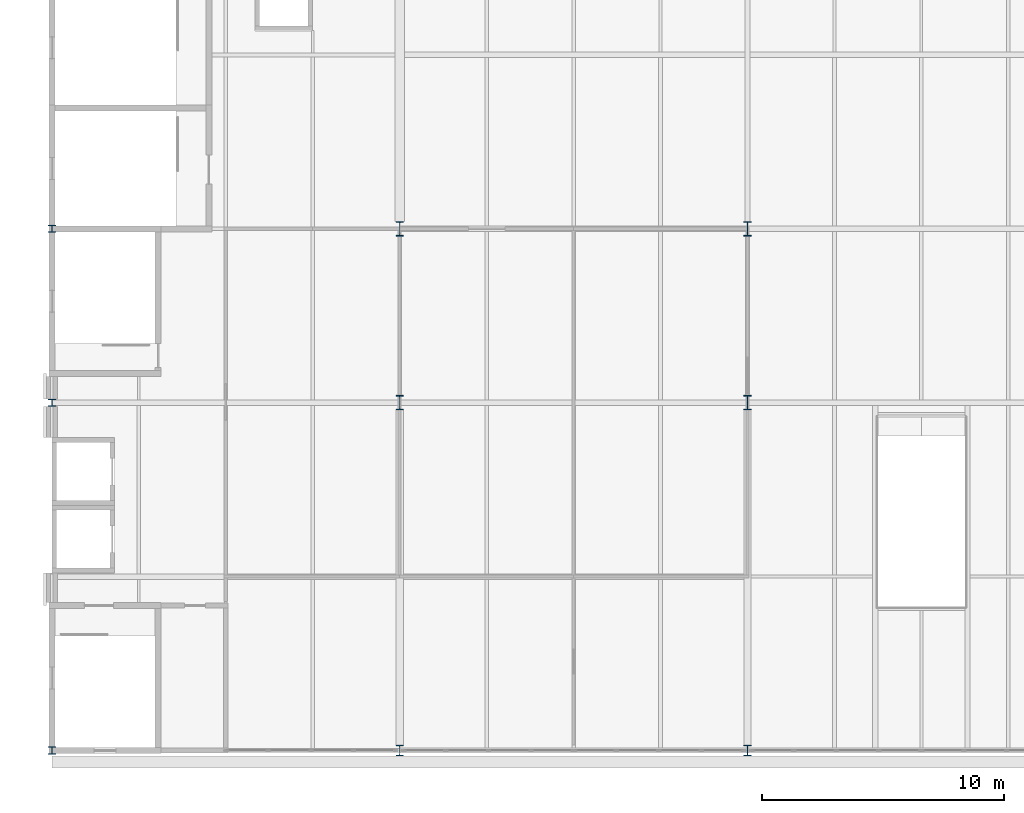
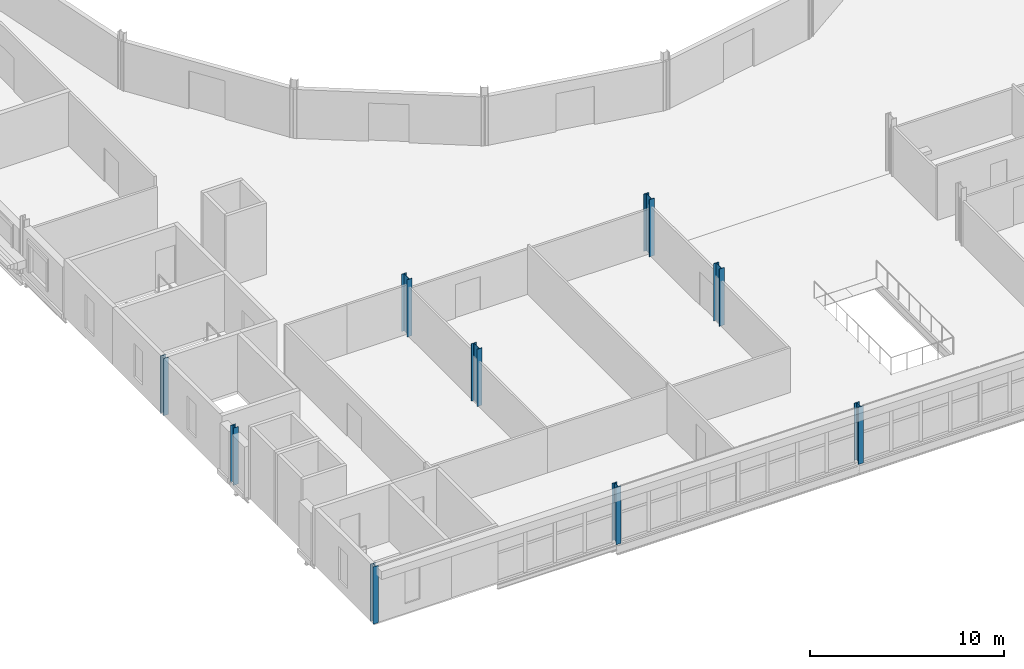
# One storey, part 1 of 142: 9 columns.
"""IFC4 building model written with IfcOpenShell, lengths in metres."""

from ifc_helpers import new_model, si_unit, direction, frame, origin, origin_2d, place, context, subcontext, project, spatial, i_section, extrude, material, material_profile, profile_set, type_object, element, save


model = new_model("IFC4")

# Units and contexts
model_context = context("Model", 3, precision=1e-05, world=origin(), true_north=direction((0.0, 1.0)))
body_context = subcontext(model_context, "Body", "Model", "MODEL_VIEW")
ifc_project = project(units=[si_unit("LENGTHUNIT", "METRE"), si_unit("AREAUNIT", "SQUARE_METRE"), si_unit("VOLUMEUNIT", "CUBIC_METRE"), si_unit("PLANEANGLEUNIT", "RADIAN"), si_unit("MASSUNIT", "GRAM", prefix="KILO")], contexts=[model_context])

# Site, building, storey
site_placement = place(None, origin())
site = spatial("IfcSite", under=ifc_project, at=site_placement, CompositionType="ELEMENT")
building_placement = place(site_placement, origin())
building = spatial("IfcBuilding", under=site, at=building_placement, Name="Kupolbacken Congress Centre", CompositionType="ELEMENT")
storey_placement = place(building_placement, frame((0.0, 0.0, 14.39990234375)))
storey = spatial("IfcBuildingStorey", under=building, at=storey_placement, Name="L04", CompositionType="ELEMENT", Elevation=14.39990234375)

# Columns
ifc_material_1 = material(Name="Steel S355", Category="steel")
ifc_material_profile_1 = material_profile(ifc_material_1, i_section(OverallWidth=0.300048828125, OverallDepth=0.449951171875, WebThickness=0.013916015625, FlangeThickness=0.02587890625, FilletRadius=0.027099609375, at=origin_2d()), Name="HEB 450")
ifc_profile_set_1 = profile_set([ifc_material_profile_1], Name="Steel S355")
column_type_1 = type_object("IfcColumnType", Name="C03 column HEB 450", PredefinedType="COLUMN", material=ifc_profile_set_1)
for number, where, z_axis, x_axis, name in (
    (1, (21.60009765625, 28.800048828125, 0.0), (0.0, 0.0, 1.0), (1.0, 0.0, 0.0), "S/col/C-F-4E/L04"),
    (2, (36.0, 28.800048828125, 0.0), (0.0, 0.0, 1.0), (1.0, 0.0, 0.0), "S/col/C-F-6E/L04"),
):
    element("IfcColumn", number, at=place(storey_placement, frame(where, z_axis=z_axis, x_axis=x_axis)), inside=storey, type_object=column_type_1, Name=name, PredefinedType="COLUMN", context=body_context, shape_type="SweptSolid", body=[
        extrude(i_section(OverallWidth=0.300048828125, OverallDepth=0.449951171875, WebThickness=0.013916015625, FlangeThickness=0.02587890625, FilletRadius=0.027099609375, at=origin_2d()), origin(), (0.0, 0.0, 1.0), 3.60009765625),
    ])
ifc_material_2 = material(Name="Steel S355", Category="steel")
ifc_material_profile_2 = material_profile(ifc_material_2, i_section(OverallWidth=0.300048828125, OverallDepth=0.60009765625, WebThickness=0.015380859375, FlangeThickness=0.030029296875, FilletRadius=0.027099609375, at=origin_2d()), Name="HEB 600")
ifc_profile_set_2 = profile_set([ifc_material_profile_2], Name="Steel S355")
column_type_2 = type_object("IfcColumnType", Name="C05 column HEB 600", PredefinedType="COLUMN", material=ifc_profile_set_2)
for number, where, z_axis, x_axis, name in (
    (3, (21.60009765625, 43.199951171875, 0.0), (0.0, 0.0, 1.0), (1.0, 0.0, 0.0), "S/col/C-F-4G/L04"),
    (4, (21.60009765625, 50.39990234375, 0.0), (0.0, 0.0, 1.0), (1.0, 0.0, 0.0), "S/col/C-F-4H/L04"),
    (5, (36.0, 43.199951171875, 0.0), (0.0, 0.0, 1.0), (1.0, 0.0, 0.0), "S/col/C-F-6G/L04"),
    (6, (36.0, 50.39990234375, 0.0), (0.0, 0.0, 1.0), (1.0, 0.0, 0.0), "S/col/C-F-6H/L04"),
):
    element("IfcColumn", number, at=place(storey_placement, frame(where, z_axis=z_axis, x_axis=x_axis)), inside=storey, type_object=column_type_2, Name=name, PredefinedType="COLUMN", context=body_context, shape_type="SweptSolid", body=[
        extrude(i_section(OverallWidth=0.300048828125, OverallDepth=0.60009765625, WebThickness=0.015380859375, FlangeThickness=0.030029296875, FilletRadius=0.027099609375, at=origin_2d()), origin(), (0.0, 0.0, 1.0), 3.60009765625),
    ])
ifc_material_3 = material(Name="Steel S355", Category="steel")
ifc_material_profile_3 = material_profile(ifc_material_3, i_section(OverallWidth=0.300048828125, OverallDepth=0.300048828125, WebThickness=0.010986328125, FlangeThickness=0.01904296875, FilletRadius=0.027099609375, at=origin_2d()), Name="HEB 300")
ifc_profile_set_3 = profile_set([ifc_material_profile_3], Name="Steel S355")
column_type_3 = type_object("IfcColumnType", Name="C06 column HEB 300", PredefinedType="COLUMN", material=ifc_profile_set_3)
for number, where, z_axis, x_axis, name in (
    (7, (7.199951171875, 28.800048828125, 0.0), (0.0, 0.0, 1.0), (1.0, 0.0, 0.0), "S/col/C-F-2E/L04"),
    (8, (7.199951171875, 43.199951171875, 0.0), (0.0, 0.0, 1.0), (1.0, 0.0, 0.0), "S/col/C-F-2G/L04"),
    (9, (7.199951171875, 50.39990234375, 0.0), (0.0, 0.0, 1.0), (1.0, 0.0, 0.0), "S/col/C-F-2H/L04"),
):
    element("IfcColumn", number, at=place(storey_placement, frame(where, z_axis=z_axis, x_axis=x_axis)), inside=storey, type_object=column_type_3, Name=name, PredefinedType="COLUMN", context=body_context, shape_type="SweptSolid", body=[
        extrude(i_section(OverallWidth=0.300048828125, OverallDepth=0.300048828125, WebThickness=0.010986328125, FlangeThickness=0.01904296875, FilletRadius=0.027099609375, at=origin_2d()), origin(), (0.0, 0.0, 1.0), 3.60009765625),
    ])

save(model, "model.ifc")
